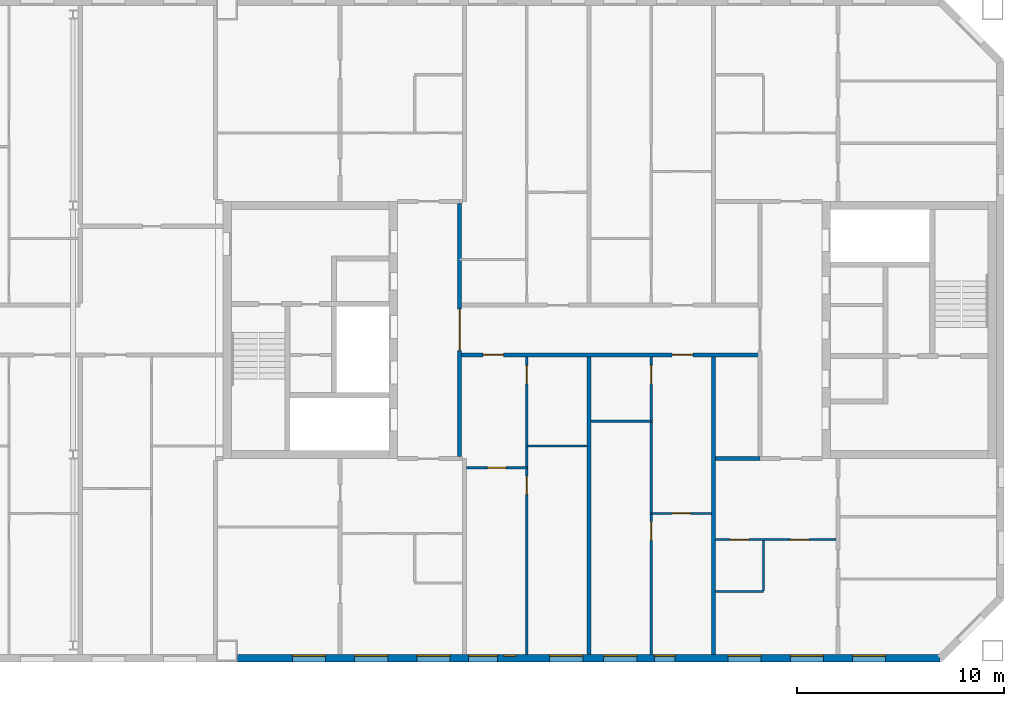
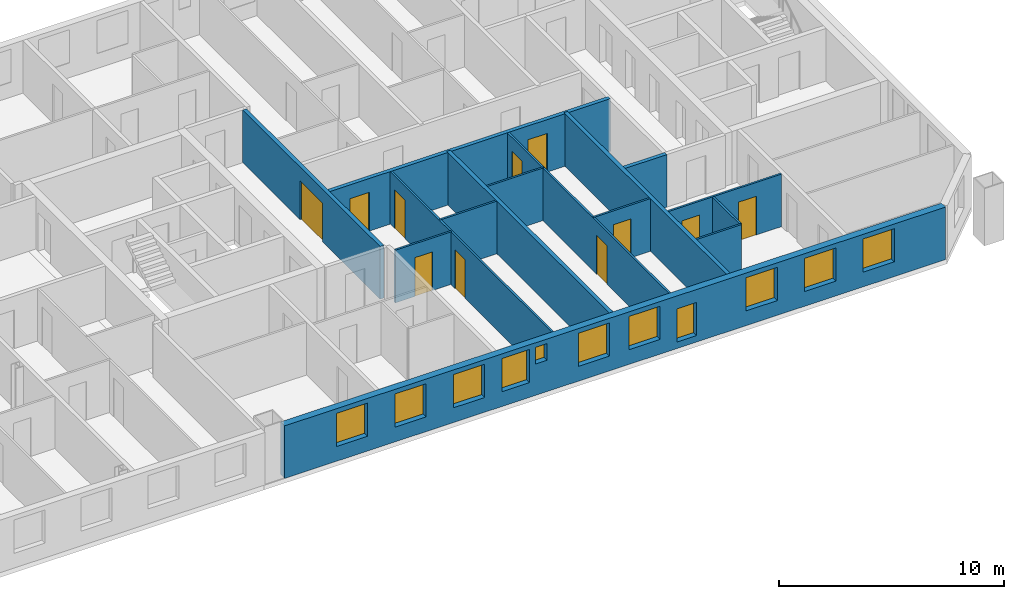
# One storey, part 14 of 19: 15 walls, 11 doors, 11 windows, 22 openings.
"""IFC4 building model written with IfcOpenShell, lengths in metres."""

import ifcopenshell
import ifcopenshell.guid

model = None  # the IFC model being written
_history = None  # IfcOwnerHistory: only IFC2X3 demands one
_inside = {}  # id of a spatial element -> (the spatial element, [elements in it])
_under = {}  # id of a project, library or spatial element -> (it, [spatial elements below it])
_declared = {}  # id of a project -> (the project, [libraries it declares])
_typed = {}  # id of a type object -> (the type object, [elements of that type])
_made_of = {}  # id of a material, layer set ... -> (it, [elements and type objects made of it])


def new_model(schema):
    """Start an empty IFC model of exactly this schema.

    Asked for "IFC4X3", IfcOpenShell would pick the latest addendum, in which some entities
    have other attributes; the version numbers below select the first issue.
    IFC2X3 requires an IfcOwnerHistory on every rooted entity: one is made here for all.
    """
    global model, _history
    if schema == "IFC4X3":
        model = ifcopenshell.file(schema_version=(4, 3, 0, 0))
    else:
        model = ifcopenshell.file(schema=schema)
    _inside.clear()
    _under.clear()
    _declared.clear()
    _typed.clear()
    _made_of.clear()
    _history = None
    if model.schema == "IFC2X3":
        org = make("IfcOrganization", Name="unknown")
        user = make(
            "IfcPersonAndOrganization",
            ThePerson=make("IfcPerson", FamilyName="unknown"),
            TheOrganization=org,
        )
        app = make(
            "IfcApplication",
            ApplicationDeveloper=org,
            Version="unknown",
            ApplicationFullName="unknown",
            ApplicationIdentifier="unknown",
        )
        _history = make(
            "IfcOwnerHistory",
            OwningUser=user,
            OwningApplication=app,
            ChangeAction="ADDED",
            CreationDate=0,
        )
    return model


def make(cls, **values):
    """One entity of the class cls with the attributes given. An attribute that is None is left unset."""
    return model.create_entity(
        cls, **{name: value for name, value in values.items() if value is not None}
    )


def rooted(cls, **values):
    """An entity with a GlobalId (a new one), such as an element, a storey or a relation."""
    return make(cls, GlobalId=ifcopenshell.guid.new(), OwnerHistory=_history, **values)


def si_unit(unit_type, name, prefix=None):
    """IfcSIUnit, for example si_unit("LENGTHUNIT", "METRE", prefix="MILLI")."""
    return make("IfcSIUnit", UnitType=unit_type, Prefix=prefix, Name=name)


def assignment(units):
    """IfcUnitAssignment: the units of a project."""
    return None if units is None else make("IfcUnitAssignment", Units=units)


def point(xyz):
    """IfcCartesianPoint."""
    return None if xyz is None else make("IfcCartesianPoint", Coordinates=xyz)


def direction(xyz):
    """IfcDirection."""
    return None if xyz is None else make("IfcDirection", DirectionRatios=xyz)


def frame(location, z_axis=None, x_axis=None):
    """IfcAxis2Placement3D, a coordinate frame: its origin and axes. An axis left out is left unset."""
    return make(
        "IfcAxis2Placement3D",
        Location=point(location),
        Axis=direction(z_axis),
        RefDirection=direction(x_axis),
    )


def frame_2d(location, x_axis=None):
    """IfcAxis2Placement2D, a coordinate frame in the plane: its origin and x axis."""
    return make(
        "IfcAxis2Placement2D", Location=point(location), RefDirection=direction(x_axis)
    )


def origin():
    """The frame at (0, 0, 0) with its axes left unset."""
    return frame((0.0, 0.0, 0.0))


def place(relative_to, where):
    """IfcLocalPlacement: puts the frame where relative to a parent placement (None: the world)."""
    return make(
        "IfcLocalPlacement", PlacementRelTo=relative_to, RelativePlacement=where
    )


def context(
    kind, dimensions, precision=None, world=None, true_north=None, identifier=None
):
    """IfcGeometricRepresentationContext, for example the 3D "Model" context."""
    return make(
        "IfcGeometricRepresentationContext",
        ContextIdentifier=identifier,
        ContextType=kind,
        CoordinateSpaceDimension=dimensions,
        Precision=precision,
        WorldCoordinateSystem=world,
        TrueNorth=true_north,
    )


def subcontext(parent, identifier, kind, view, scale=None):
    """IfcGeometricRepresentationSubContext, for example "Body" below "Model"."""
    return make(
        "IfcGeometricRepresentationSubContext",
        ContextIdentifier=identifier,
        ContextType=kind,
        ParentContext=parent,
        TargetScale=scale,
        TargetView=view,
    )


def project(units=None, contexts=None):
    """IfcProject with its units and contexts."""
    return rooted(
        "IfcProject",
        Name="project",
        RepresentationContexts=contexts,
        UnitsInContext=assignment(units),
    )


def spatial(cls, under=None, at=None, **own):
    """A site, building, storey or space (cls), placed at a placement, below another one or the project."""
    s = rooted(cls, ObjectPlacement=at, **own)
    if under is not None:
        _under.setdefault(under.id(), (under, []))[1].append(s)
    return s


def profile(cls, at=None, kind="AREA", **sizes):
    """A parametric profile (cls). Its sizes go by their IFC names, for example OverallWidth=200.0."""
    return make(cls, ProfileType=kind, Position=at, **sizes)


def rectangle(**sizes):
    """IfcRectangleProfileDef."""
    return profile("IfcRectangleProfileDef", **sizes)


def extrude(swept, where, along, depth):
    """IfcExtrudedAreaSolid: the profile swept, set in the frame where, extruded along a direction by depth."""
    return make(
        "IfcExtrudedAreaSolid",
        SweptArea=swept,
        Position=where,
        ExtrudedDirection=direction(along),
        Depth=depth,
    )


def shape(context_of_items, identifier, shape_type, items):
    """IfcShapeRepresentation: the items that make up one representation, for example the "Body"."""
    return make(
        "IfcShapeRepresentation",
        ContextOfItems=context_of_items,
        RepresentationIdentifier=identifier,
        RepresentationType=shape_type,
        Items=items,
    )


def material(Name=None, Category=None):
    """IfcMaterial."""
    return make("IfcMaterial", Name=Name, Category=Category)


def layer(
    of_material, thickness, ventilated=None, Name=None, Category=None, Priority=None
):
    """IfcMaterialLayer: one layer of a wall or slab, of a material (None: an air gap)."""
    return make(
        "IfcMaterialLayer",
        Material=of_material,
        LayerThickness=thickness,
        IsVentilated=ventilated,
        Name=Name,
        Category=Category,
        Priority=Priority,
    )


def layer_set(layers, Name=None):
    """IfcMaterialLayerSet."""
    return make("IfcMaterialLayerSet", MaterialLayers=layers, LayerSetName=Name)


def made_of(thing, what):
    """Note that an element or type object is made of a material, layer set ...; save() writes the relation."""
    if what is not None:
        _made_of.setdefault(what.id(), (what, []))[1].append(thing)
    return thing


def type_object(cls, material=None, **own):
    """A type object (cls), such as IfcWallType, which elements share."""
    return made_of(rooted(cls, **own), material)


def element(
    cls,
    number,
    at=None,
    inside=None,
    cuts=None,
    type_object=None,
    material=None,
    context=None,
    identifier="Body",
    shape_type=None,
    held_by="IfcProductDefinitionShape",
    body=None,
    shapes=None,
    **own,
):
    """One element of the class cls, such as IfcWall. Its Tag is "e" and its number.

    at: its placement. inside: the storey or other place that contains it. cuts: it is an
    opening in that element (IfcRelVoidsElement). A single representation is given by context,
    identifier, shape_type and body (its items); several are given by shapes. held_by: the class
    of the entity that holds the representations. save() writes the other relations.
    """
    e = rooted(cls, Tag="e%d" % number, ObjectPlacement=at, **own)
    if body is not None:
        shapes = [shape(context, identifier, shape_type, body)]
    if shapes is not None:
        e.Representation = make(held_by, Representations=shapes)
    if inside is not None:
        _inside.setdefault(inside.id(), (inside, []))[1].append(e)
    if cuts is not None:
        rooted(
            "IfcRelVoidsElement", RelatingBuildingElement=cuts, RelatedOpeningElement=e
        )
    if type_object is not None:
        _typed.setdefault(type_object.id(), (type_object, []))[1].append(e)
    return made_of(e, material)


def fill(opening, filler):
    """IfcRelFillsElement: the door or window that sits in an opening."""
    return rooted(
        "IfcRelFillsElement",
        RelatingOpeningElement=opening,
        RelatedBuildingElement=filler,
    )


def aggregate(whole, parts):
    """IfcRelAggregates: a whole, such as a stair, and the parts it consists of."""
    return rooted("IfcRelAggregates", RelatingObject=whole, RelatedObjects=parts)


def save(model, path):
    """Write the relations noted so far, then the file.

    IfcRelAggregates (storeys below a building ...), IfcRelContainedInSpatialStructure (elements
    in a storey), IfcRelDefinesByType, IfcRelAssociatesMaterial and IfcRelDeclares: one each for
    every whole, place, type object, material and project.
    """
    for whole, parts in _under.values():
        aggregate(whole, parts)
    for where, things in _inside.values():
        rooted(
            "IfcRelContainedInSpatialStructure",
            RelatedElements=things,
            RelatingStructure=where,
        )
    for kind, things in _typed.values():
        rooted("IfcRelDefinesByType", RelatedObjects=things, RelatingType=kind)
    for what, things in _made_of.values():
        rooted("IfcRelAssociatesMaterial", RelatedObjects=things, RelatingMaterial=what)
    for by, libraries in _declared.values():
        rooted("IfcRelDeclares", RelatingContext=by, RelatedDefinitions=libraries)
    model.write(path)


model = new_model("IFC4")

# Units and contexts
model_context = context("Model", 3, precision=1e-05, world=origin(), true_north=direction((0.0, 1.0)))
body_context = subcontext(model_context, "Body", "Model", "MODEL_VIEW")
ifc_project = project(units=[si_unit("LENGTHUNIT", "METRE"), si_unit("AREAUNIT", "SQUARE_METRE"), si_unit("VOLUMEUNIT", "CUBIC_METRE"), si_unit("PLANEANGLEUNIT", "RADIAN"), si_unit("MASSUNIT", "GRAM", prefix="KILO")], contexts=[model_context])

# Site, building, storey
site_placement = place(None, origin())
site = spatial("IfcSite", under=ifc_project, at=site_placement, CompositionType="ELEMENT")
building_placement = place(site_placement, origin())
building = spatial("IfcBuilding", under=site, at=building_placement, Name="Tuart Gate Housing", CompositionType="ELEMENT")
storey_placement = place(building_placement, frame((0.0, 0.0, 227.60009765625)))
storey = spatial("IfcBuildingStorey", under=building, at=storey_placement, Name="L64", CompositionType="ELEMENT", Elevation=227.60009765625)

# Wall, openings, windows
ifc_material_1 = material(Name="Brick", Category="masonry")
ifc_layer_1 = layer(ifc_material_1, 0.360107421875)
ifc_layer_set_1 = layer_set([ifc_layer_1], Name="Brick pier and spandrel wall 360")
wall_type_1 = type_object("IfcWallType", Name="Brick pier and spandrel wall 360", PredefinedType="STANDARD", material=ifc_layer_set_1)
wall_1_placement = place(storey_placement, frame((132.050048828125, 54.179931640625, 0.0), z_axis=(0.0, 0.0, 1.0), x_axis=(1.0, 0.0, 0.0)))
wall_1 = element("IfcWall", 1, at=wall_1_placement, inside=storey, type_object=wall_type_1, Name="External wall BLK-S L64", PredefinedType="STANDARD", context=body_context, shape_type="SweptSolid", body=[
    extrude(rectangle(XDim=33.87548828125, YDim=0.360107421875, at=frame_2d((16.937744140625, 0.0))), origin(), (0.0, 0.0, 1.0), 2.849853515625),
])
opening_1_placement = place(wall_1_placement, frame((2.64990234375, 0.0, 0.800048828125)))
opening_1 = element("IfcOpeningElement", 2, at=opening_1_placement, cuts=wall_1, Name="Opening W1", PredefinedType="OPENING", context=body_context, shape_type="SweptSolid", body=[
    extrude(rectangle(XDim=1.60009765625, YDim=1.800048828125, at=frame_2d((0.800048828125, 0.89990234375))), frame((0.0, 0.18994140625, 0.0), z_axis=(0.0, -1.0, 0.0), x_axis=(1.0, 0.0, 0.0)), (0.0, 0.0, 1.0), 0.380126953125),
])
opening_2_placement = place(wall_1_placement, frame((5.64990234375, 0.0, 0.800048828125)))
opening_2 = element("IfcOpeningElement", 3, at=opening_2_placement, cuts=wall_1, Name="Opening W1", PredefinedType="OPENING", context=body_context, shape_type="SweptSolid", body=[
    extrude(rectangle(XDim=1.60009765625, YDim=1.800048828125, at=frame_2d((0.800048828125, 0.89990234375))), frame((0.0, 0.18994140625, 0.0), z_axis=(0.0, -1.0, 0.0), x_axis=(1.0, 0.0, 0.0)), (0.0, 0.0, 1.0), 0.380126953125),
])
opening_3_placement = place(wall_1_placement, frame((8.64990234375, 0.0, 0.800048828125)))
opening_3 = element("IfcOpeningElement", 4, at=opening_3_placement, cuts=wall_1, Name="Opening W1", PredefinedType="OPENING", context=body_context, shape_type="SweptSolid", body=[
    extrude(rectangle(XDim=1.60009765625, YDim=1.800048828125, at=frame_2d((0.800048828125, 0.89990234375))), frame((0.0, 0.18994140625, 0.0), z_axis=(0.0, -1.0, 0.0), x_axis=(1.0, 0.0, 0.0)), (0.0, 0.0, 1.0), 0.380126953125),
])
opening_4_placement = place(wall_1_placement, frame((11.14990234375, 0.0, 0.800048828125)))
opening_4 = element("IfcOpeningElement", 5, at=opening_4_placement, cuts=wall_1, Name="Opening W1A", PredefinedType="OPENING", context=body_context, shape_type="SweptSolid", body=[
    extrude(rectangle(XDim=1.39990234375, YDim=1.800048828125, at=frame_2d((0.699951171875, 0.89990234375))), frame((0.0, 0.18994140625, 0.0), z_axis=(0.0, -1.0, 0.0), x_axis=(1.0, 0.0, 0.0)), (0.0, 0.0, 1.0), 0.380126953125),
])
opening_5_placement = place(wall_1_placement, frame((15.050048828125, 0.0, 0.800048828125)))
opening_5 = element("IfcOpeningElement", 6, at=opening_5_placement, cuts=wall_1, Name="Opening W1", PredefinedType="OPENING", context=body_context, shape_type="SweptSolid", body=[
    extrude(rectangle(XDim=1.60009765625, YDim=1.800048828125, at=frame_2d((0.800048828125, 0.89990234375))), frame((0.0, 0.18994140625, 0.0), z_axis=(0.0, -1.0, 0.0), x_axis=(1.0, 0.0, 0.0)), (0.0, 0.0, 1.0), 0.380126953125),
])
opening_6_placement = place(wall_1_placement, frame((17.64990234375, 0.0, 0.800048828125)))
opening_6 = element("IfcOpeningElement", 7, at=opening_6_placement, cuts=wall_1, Name="Opening W1", PredefinedType="OPENING", context=body_context, shape_type="SweptSolid", body=[
    extrude(rectangle(XDim=1.60009765625, YDim=1.800048828125, at=frame_2d((0.800048828125, 0.89990234375))), frame((0.0, 0.18994140625, 0.0), z_axis=(0.0, -1.0, 0.0), x_axis=(1.0, 0.0, 0.0)), (0.0, 0.0, 1.0), 0.380126953125),
])
opening_7_placement = place(wall_1_placement, frame((20.10009765625, 0.0, 0.35009765625)))
opening_7 = element("IfcOpeningElement", 8, at=opening_7_placement, cuts=wall_1, Name="Opening W1C", PredefinedType="OPENING", context=body_context, shape_type="SweptSolid", body=[
    extrude(rectangle(XDim=1.0, YDim=1.800048828125, at=frame_2d((0.5, 0.89990234375))), frame((0.0, 0.18994140625, 0.0), z_axis=(0.0, -1.0, 0.0), x_axis=(1.0, 0.0, 0.0)), (0.0, 0.0, 1.0), 0.380126953125),
])
opening_8_placement = place(wall_1_placement, frame((23.64990234375, 0.0, 0.800048828125)))
opening_8 = element("IfcOpeningElement", 9, at=opening_8_placement, cuts=wall_1, Name="Opening W1", PredefinedType="OPENING", context=body_context, shape_type="SweptSolid", body=[
    extrude(rectangle(XDim=1.60009765625, YDim=1.800048828125, at=frame_2d((0.800048828125, 0.89990234375))), frame((0.0, 0.18994140625, 0.0), z_axis=(0.0, -1.0, 0.0), x_axis=(1.0, 0.0, 0.0)), (0.0, 0.0, 1.0), 0.380126953125),
])
opening_9_placement = place(wall_1_placement, frame((26.64990234375, 0.0, 0.800048828125)))
opening_9 = element("IfcOpeningElement", 10, at=opening_9_placement, cuts=wall_1, Name="Opening W1", PredefinedType="OPENING", context=body_context, shape_type="SweptSolid", body=[
    extrude(rectangle(XDim=1.60009765625, YDim=1.800048828125, at=frame_2d((0.800048828125, 0.89990234375))), frame((0.0, 0.18994140625, 0.0), z_axis=(0.0, -1.0, 0.0), x_axis=(1.0, 0.0, 0.0)), (0.0, 0.0, 1.0), 0.380126953125),
])
opening_10_placement = place(wall_1_placement, frame((29.64990234375, 0.0, 0.800048828125)))
opening_10 = element("IfcOpeningElement", 11, at=opening_10_placement, cuts=wall_1, Name="Opening W1", PredefinedType="OPENING", context=body_context, shape_type="SweptSolid", body=[
    extrude(rectangle(XDim=1.60009765625, YDim=1.800048828125, at=frame_2d((0.800048828125, 0.89990234375))), frame((0.0, 0.18994140625, 0.0), z_axis=(0.0, -1.0, 0.0), x_axis=(1.0, 0.0, 0.0)), (0.0, 0.0, 1.0), 0.380126953125),
])
opening_11_placement = place(wall_1_placement, frame((12.85009765625, 0.0, 1.699951171875)))
opening_11 = element("IfcOpeningElement", 12, at=opening_11_placement, cuts=wall_1, Name="Opening W1W", PredefinedType="OPENING", context=body_context, shape_type="SweptSolid", body=[
    extrude(rectangle(XDim=0.60009765625, YDim=0.89990234375, at=frame_2d((0.300048828125, 0.449951171875))), frame((0.0, 0.18994140625, 0.0), z_axis=(0.0, -1.0, 0.0), x_axis=(1.0, 0.0, 0.0)), (0.0, 0.0, 1.0), 0.380126953125),
])
ifc_material_2 = material(Name="Aluminium frame with clear glass", Category="aluminium")
window_type_1 = type_object("IfcWindowType", Name="Punched window 1000 x 1800", PartitioningType="SINGLE_PANEL", PredefinedType="WINDOW", material=ifc_material_2)
window_1_placement = place(opening_7_placement, origin())
window_1 = element("IfcWindow", 13, at=window_1_placement, inside=storey, type_object=window_type_1, Name="Window W1C", OverallHeight=1.800048828125, OverallWidth=1.0, PartitioningType="SINGLE_PANEL", PredefinedType="WINDOW", context=body_context, shape_type="SweptSolid", body=[
    extrude(rectangle(XDim=1.0, YDim=1.800048828125, at=frame_2d((0.5, 0.89990234375))), frame((0.0, 0.150146484375, 0.0), z_axis=(0.0, -1.0, 0.0), x_axis=(1.0, 0.0, 0.0)), (0.0, 0.0, 1.0), 0.06005859375),
])
fill(opening_7, window_1)
ifc_material_3 = material(Name="Aluminium frame with clear glass", Category="aluminium")
window_type_2 = type_object("IfcWindowType", Name="Punched window 1400 x 1800", PartitioningType="SINGLE_PANEL", PredefinedType="WINDOW", material=ifc_material_3)
window_2_placement = place(opening_4_placement, origin())
window_2 = element("IfcWindow", 14, at=window_2_placement, inside=storey, type_object=window_type_2, Name="Window W1A", OverallHeight=1.800048828125, OverallWidth=1.39990234375, PartitioningType="SINGLE_PANEL", PredefinedType="WINDOW", context=body_context, shape_type="SweptSolid", body=[
    extrude(rectangle(XDim=1.39990234375, YDim=1.800048828125, at=frame_2d((0.699951171875, 0.89990234375))), frame((0.0, 0.150146484375, 0.0), z_axis=(0.0, -1.0, 0.0), x_axis=(1.0, 0.0, 0.0)), (0.0, 0.0, 1.0), 0.06005859375),
])
fill(opening_4, window_2)
ifc_material_4 = material(Name="Aluminium frame with clear glass", Category="aluminium")
window_type_3 = type_object("IfcWindowType", Name="Punched window 1600 x 1800", PartitioningType="SINGLE_PANEL", PredefinedType="WINDOW", material=ifc_material_4)
window_3_placement = place(opening_1_placement, origin())
window_3 = element("IfcWindow", 15, at=window_3_placement, inside=storey, type_object=window_type_3, Name="Window W1", OverallHeight=1.800048828125, OverallWidth=1.60009765625, PartitioningType="SINGLE_PANEL", PredefinedType="WINDOW", context=body_context, shape_type="SweptSolid", body=[
    extrude(rectangle(XDim=1.60009765625, YDim=1.800048828125, at=frame_2d((0.800048828125, 0.89990234375))), frame((0.0, 0.150146484375, 0.0), z_axis=(0.0, -1.0, 0.0), x_axis=(1.0, 0.0, 0.0)), (0.0, 0.0, 1.0), 0.06005859375),
])
fill(opening_1, window_3)
window_4_placement = place(opening_2_placement, origin())
window_4 = element("IfcWindow", 16, at=window_4_placement, inside=storey, type_object=window_type_3, Name="Window W1", OverallHeight=1.800048828125, OverallWidth=1.60009765625, PartitioningType="SINGLE_PANEL", PredefinedType="WINDOW", context=body_context, shape_type="SweptSolid", body=[
    extrude(rectangle(XDim=1.60009765625, YDim=1.800048828125, at=frame_2d((0.800048828125, 0.89990234375))), frame((0.0, 0.150146484375, 0.0), z_axis=(0.0, -1.0, 0.0), x_axis=(1.0, 0.0, 0.0)), (0.0, 0.0, 1.0), 0.06005859375),
])
fill(opening_2, window_4)
window_5_placement = place(opening_3_placement, origin())
window_5 = element("IfcWindow", 17, at=window_5_placement, inside=storey, type_object=window_type_3, Name="Window W1", OverallHeight=1.800048828125, OverallWidth=1.60009765625, PartitioningType="SINGLE_PANEL", PredefinedType="WINDOW", context=body_context, shape_type="SweptSolid", body=[
    extrude(rectangle(XDim=1.60009765625, YDim=1.800048828125, at=frame_2d((0.800048828125, 0.89990234375))), frame((0.0, 0.150146484375, 0.0), z_axis=(0.0, -1.0, 0.0), x_axis=(1.0, 0.0, 0.0)), (0.0, 0.0, 1.0), 0.06005859375),
])
fill(opening_3, window_5)
window_6_placement = place(opening_5_placement, origin())
window_6 = element("IfcWindow", 18, at=window_6_placement, inside=storey, type_object=window_type_3, Name="Window W1", OverallHeight=1.800048828125, OverallWidth=1.60009765625, PartitioningType="SINGLE_PANEL", PredefinedType="WINDOW", context=body_context, shape_type="SweptSolid", body=[
    extrude(rectangle(XDim=1.60009765625, YDim=1.800048828125, at=frame_2d((0.800048828125, 0.89990234375))), frame((0.0, 0.150146484375, 0.0), z_axis=(0.0, -1.0, 0.0), x_axis=(1.0, 0.0, 0.0)), (0.0, 0.0, 1.0), 0.06005859375),
])
fill(opening_5, window_6)
window_7_placement = place(opening_6_placement, origin())
window_7 = element("IfcWindow", 19, at=window_7_placement, inside=storey, type_object=window_type_3, Name="Window W1", OverallHeight=1.800048828125, OverallWidth=1.60009765625, PartitioningType="SINGLE_PANEL", PredefinedType="WINDOW", context=body_context, shape_type="SweptSolid", body=[
    extrude(rectangle(XDim=1.60009765625, YDim=1.800048828125, at=frame_2d((0.800048828125, 0.89990234375))), frame((0.0, 0.150146484375, 0.0), z_axis=(0.0, -1.0, 0.0), x_axis=(1.0, 0.0, 0.0)), (0.0, 0.0, 1.0), 0.06005859375),
])
fill(opening_6, window_7)
window_8_placement = place(opening_8_placement, origin())
window_8 = element("IfcWindow", 20, at=window_8_placement, inside=storey, type_object=window_type_3, Name="Window W1", OverallHeight=1.800048828125, OverallWidth=1.60009765625, PartitioningType="SINGLE_PANEL", PredefinedType="WINDOW", context=body_context, shape_type="SweptSolid", body=[
    extrude(rectangle(XDim=1.60009765625, YDim=1.800048828125, at=frame_2d((0.800048828125, 0.89990234375))), frame((0.0, 0.150146484375, 0.0), z_axis=(0.0, -1.0, 0.0), x_axis=(1.0, 0.0, 0.0)), (0.0, 0.0, 1.0), 0.06005859375),
])
fill(opening_8, window_8)
window_9_placement = place(opening_9_placement, origin())
window_9 = element("IfcWindow", 21, at=window_9_placement, inside=storey, type_object=window_type_3, Name="Window W1", OverallHeight=1.800048828125, OverallWidth=1.60009765625, PartitioningType="SINGLE_PANEL", PredefinedType="WINDOW", context=body_context, shape_type="SweptSolid", body=[
    extrude(rectangle(XDim=1.60009765625, YDim=1.800048828125, at=frame_2d((0.800048828125, 0.89990234375))), frame((0.0, 0.150146484375, 0.0), z_axis=(0.0, -1.0, 0.0), x_axis=(1.0, 0.0, 0.0)), (0.0, 0.0, 1.0), 0.06005859375),
])
fill(opening_9, window_9)
window_10_placement = place(opening_10_placement, origin())
window_10 = element("IfcWindow", 22, at=window_10_placement, inside=storey, type_object=window_type_3, Name="Window W1", OverallHeight=1.800048828125, OverallWidth=1.60009765625, PartitioningType="SINGLE_PANEL", PredefinedType="WINDOW", context=body_context, shape_type="SweptSolid", body=[
    extrude(rectangle(XDim=1.60009765625, YDim=1.800048828125, at=frame_2d((0.800048828125, 0.89990234375))), frame((0.0, 0.150146484375, 0.0), z_axis=(0.0, -1.0, 0.0), x_axis=(1.0, 0.0, 0.0)), (0.0, 0.0, 1.0), 0.06005859375),
])
fill(opening_10, window_10)
ifc_material_5 = material(Name="Aluminium frame with clear glass", Category="aluminium")
window_type_4 = type_object("IfcWindowType", Name="Punched window 600 x 900", PartitioningType="SINGLE_PANEL", PredefinedType="WINDOW", material=ifc_material_5)
window_11_placement = place(opening_11_placement, origin())
window_11 = element("IfcWindow", 23, at=window_11_placement, inside=storey, type_object=window_type_4, Name="Window W1W", OverallHeight=0.89990234375, OverallWidth=0.60009765625, PartitioningType="SINGLE_PANEL", PredefinedType="WINDOW", context=body_context, shape_type="SweptSolid", body=[
    extrude(rectangle(XDim=0.60009765625, YDim=0.89990234375, at=frame_2d((0.300048828125, 0.449951171875))), frame((0.0, 0.150146484375, 0.0), z_axis=(0.0, -1.0, 0.0), x_axis=(1.0, 0.0, 0.0)), (0.0, 0.0, 1.0), 0.06005859375),
])
fill(opening_11, window_11)

# Wall, openings, doors
ifc_material_6 = material(Name="Concrete masonry 15 MPa", Category="masonry")
ifc_layer_2 = layer(ifc_material_6, 0.199951171875)
ifc_layer_set_2 = layer_set([ifc_layer_2], Name="Corridor wall masonry 200")
wall_type_2 = type_object("IfcWallType", Name="Corridor wall masonry 200", PredefinedType="PARTITIONING", material=ifc_layer_set_2)
wall_2_placement = place(storey_placement, frame((142.760009765625, 68.800048828125, 0.0), z_axis=(0.0, 0.0, 1.0), x_axis=(1.0, 0.0, 0.0)))
wall_2 = element("IfcWall", 24, at=wall_2_placement, inside=storey, type_object=wall_type_2, Name="Corridor wall masonry 200", PredefinedType="PARTITIONING", context=body_context, shape_type="SweptSolid", body=[
    extrude(rectangle(XDim=14.47998046875, YDim=0.199951171875, at=frame_2d((7.239990234375, 0.0))), origin(), (0.0, 0.0, 1.0), 2.849853515625),
])
opening_12_placement = place(wall_2_placement, frame((1.1201171875, 0.0, 0.0)))
opening_12 = element("IfcOpeningElement", 25, at=opening_12_placement, cuts=wall_2, Name="Opening D2422", PredefinedType="OPENING", context=body_context, shape_type="SweptSolid", body=[
    extrude(rectangle(XDim=1.0, YDim=2.10009765625, at=frame_2d((0.5, 1.050048828125))), frame((0.0, 0.10986328125, 0.0), z_axis=(0.0, -1.0, 0.0), x_axis=(1.0, 0.0, 0.0)), (0.0, 0.0, 1.0), 0.219970703125),
])
opening_13_placement = place(wall_2_placement, frame((10.239990234375, 0.0, 0.0)))
opening_13 = element("IfcOpeningElement", 26, at=opening_13_placement, cuts=wall_2, Name="Opening D2423", PredefinedType="OPENING", context=body_context, shape_type="SweptSolid", body=[
    extrude(rectangle(XDim=1.0, YDim=2.10009765625, at=frame_2d((0.5, 1.050048828125))), frame((0.0, 0.10986328125, 0.0), z_axis=(0.0, -1.0, 0.0), x_axis=(1.0, 0.0, 0.0)), (0.0, 0.0, 1.0), 0.219970703125),
])
ifc_material_7 = material(Name="Timber door leaf in steel frame", Category="steel")
door_type_1 = type_object("IfcDoorType", Name="Flat entrance door 1000 RH", OperationType="SINGLE_SWING_RIGHT", PredefinedType="DOOR", material=ifc_material_7)
door_1_placement = place(opening_12_placement, frame((1.0, 0.0, 0.0), z_axis=(0.0, 0.0, 1.0), x_axis=(-1.0, 0.0, 0.0)))
door_1 = element("IfcDoor", 27, at=door_1_placement, inside=storey, type_object=door_type_1, Name="Flat entrance door", OperationType="SINGLE_SWING_RIGHT", OverallHeight=2.10009765625, OverallWidth=1.0, PredefinedType="DOOR", context=body_context, shape_type="SweptSolid", body=[
    extrude(rectangle(XDim=1.0, YDim=2.10009765625, at=frame_2d((0.5, 1.050048828125))), frame((0.0, 0.025146484375, 0.0), z_axis=(0.0, -1.0, 0.0), x_axis=(1.0, 0.0, 0.0)), (0.0, 0.0, 1.0), 0.050048828125),
])
fill(opening_12, door_1)
door_2_placement = place(opening_13_placement, frame((1.0, 0.0, 0.0), z_axis=(0.0, 0.0, 1.0), x_axis=(-1.0, 0.0, 0.0)))
door_2 = element("IfcDoor", 28, at=door_2_placement, inside=storey, type_object=door_type_1, Name="Flat entrance door", OperationType="SINGLE_SWING_RIGHT", OverallHeight=2.10009765625, OverallWidth=1.0, PredefinedType="DOOR", context=body_context, shape_type="SweptSolid", body=[
    extrude(rectangle(XDim=1.0, YDim=2.10009765625, at=frame_2d((0.5, 1.050048828125))), frame((0.0, 0.025146484375, 0.0), z_axis=(0.0, -1.0, 0.0), x_axis=(1.0, 0.0, 0.0)), (0.0, 0.0, 1.0), 0.050048828125),
])
fill(opening_13, door_2)

# Wall, opening, door
ifc_material_8 = material(Name="Plasterboard partition")
ifc_layer_3 = layer(ifc_material_8, 0.199951171875)
ifc_layer_set_3 = layer_set([ifc_layer_3], Name="Lobby wall 200")
wall_type_3 = type_object("IfcWallType", Name="Lobby wall 200", PredefinedType="PARTITIONING", material=ifc_layer_set_3)
wall_3_placement = place(storey_placement, frame((142.760009765625, 63.89990234375, 0.0), z_axis=(0.0, 0.0, 1.0), x_axis=(0.0, 1.0, 0.0)))
wall_3 = element("IfcWall", 29, at=wall_3_placement, inside=storey, type_object=wall_type_3, Name="Lift lobby wall BG", PredefinedType="PARTITIONING", context=body_context, shape_type="SweptSolid", body=[
    extrude(rectangle(XDim=12.2001953125, YDim=0.199951171875, at=frame_2d((6.10009765625, 0.0))), origin(), (0.0, 0.0, 1.0), 2.849853515625),
])
opening_14_placement = place(wall_3_placement, frame((5.10009765625, 0.0, 0.0)))
opening_14 = element("IfcOpeningElement", 30, at=opening_14_placement, cuts=wall_3, Name="Opening D2415", PredefinedType="OPENING", context=body_context, shape_type="SweptSolid", body=[
    extrude(rectangle(XDim=2.0, YDim=2.10009765625, at=frame_2d((1.0, 1.050048828125))), frame((0.0, 0.10986328125, 0.0), z_axis=(0.0, -1.0, 0.0), x_axis=(1.0, 0.0, 0.0)), (0.0, 0.0, 1.0), 0.219970703125),
])
ifc_material_9 = material(Name="Steel fire door", Category="steel")
door_type_2 = type_object("IfcDoorType", Name="Smoke door 2000 x 2100", OperationType="DOUBLE_DOOR_SINGLE_SWING", PredefinedType="DOOR", material=ifc_material_9)
door_3_placement = place(opening_14_placement, origin())
door_3 = element("IfcDoor", 31, at=door_3_placement, inside=storey, type_object=door_type_2, Name="Lift lobby smoke door BG", OperationType="DOUBLE_DOOR_SINGLE_SWING", OverallHeight=2.10009765625, OverallWidth=2.0, PredefinedType="DOOR", context=body_context, shape_type="SweptSolid", body=[
    extrude(rectangle(XDim=2.0, YDim=2.10009765625, at=frame_2d((1.0, 1.050048828125))), frame((0.0, 0.02490234375, 0.0), z_axis=(0.0, -1.0, 0.0), x_axis=(1.0, 0.0, 0.0)), (0.0, 0.0, 1.0), 0.050048828125),
])
fill(opening_14, door_3)

# Wall
ifc_material_10 = material(Name="Gypsum board on steel studs", Category="steel")
ifc_layer_4 = layer(ifc_material_10, 0.10009765625)
ifc_layer_set_4 = layer_set([ifc_layer_4], Name="Partition 100")
wall_type_4 = type_object("IfcWallType", Name="Partition 100", PredefinedType="PARTITIONING", material=ifc_layer_set_4)
wall_4_placement = place(storey_placement, frame((155.10009765625, 57.39990234375, 0.0), z_axis=(0.0, 0.0, 1.0), x_axis=(1.0, 0.0, 0.0)))
element("IfcWall", 32, at=wall_4_placement, inside=storey, type_object=wall_type_4, Name="Partition 100", PredefinedType="PARTITIONING", context=body_context, shape_type="SweptSolid", body=[
    extrude(rectangle(XDim=2.2998046875, YDim=0.10009765625, at=frame_2d((1.14990234375, 0.0))), origin(), (0.0, 0.0, 1.0), 2.849853515625),
])

# Wall, openings, doors
wall_5_placement = place(storey_placement, frame((155.10009765625, 59.89990234375, 0.0), z_axis=(0.0, 0.0, 1.0), x_axis=(1.0, 0.0, 0.0)))
wall_5 = element("IfcWall", 33, at=wall_5_placement, inside=storey, type_object=wall_type_4, Name="Partition 100", PredefinedType="PARTITIONING", context=body_context, shape_type="SweptSolid", body=[
    extrude(rectangle(XDim=5.7998046875, YDim=0.10009765625, at=frame_2d((2.89990234375, 0.0))), origin(), (0.0, 0.0, 1.0), 2.849853515625),
])
opening_15_placement = place(wall_5_placement, frame((3.60009765625, 0.0, 0.0)))
opening_15 = element("IfcOpeningElement", 34, at=opening_15_placement, cuts=wall_5, Name="Opening D2437", PredefinedType="OPENING", context=body_context, shape_type="SweptSolid", body=[
    extrude(rectangle(XDim=0.89990234375, YDim=2.10009765625, at=frame_2d((0.449951171875, 1.050048828125))), frame((0.0, 0.06005859375, 0.0), z_axis=(0.0, -1.0, 0.0), x_axis=(1.0, 0.0, 0.0)), (0.0, 0.0, 1.0), 0.1201171875),
])
opening_16_placement = place(wall_5_placement, frame((0.699951171875, 0.0, 0.0)))
opening_16 = element("IfcOpeningElement", 35, at=opening_16_placement, cuts=wall_5, Name="Opening D2436", PredefinedType="OPENING", context=body_context, shape_type="SweptSolid", body=[
    extrude(rectangle(XDim=0.89990234375, YDim=2.10009765625, at=frame_2d((0.449951171875, 1.050048828125))), frame((0.0, 0.06005859375, 0.0), z_axis=(0.0, -1.0, 0.0), x_axis=(1.0, 0.0, 0.0)), (0.0, 0.0, 1.0), 0.1201171875),
])
ifc_material_11 = material(Name="Timber door leaf in steel frame", Category="steel")
door_type_3 = type_object("IfcDoorType", Name="Bathroom door 900", OperationType="SINGLE_SWING_LEFT", PredefinedType="DOOR", material=ifc_material_11)
door_4_placement = place(opening_16_placement, frame((0.89990234375, 0.0, 0.0), z_axis=(0.0, 0.0, 1.0), x_axis=(-1.0, 0.0, 0.0)))
door_4 = element("IfcDoor", 36, at=door_4_placement, inside=storey, type_object=door_type_3, Name="Bathroom door", OperationType="SINGLE_SWING_LEFT", OverallHeight=2.10009765625, OverallWidth=0.89990234375, PredefinedType="DOOR", context=body_context, shape_type="SweptSolid", body=[
    extrude(rectangle(XDim=0.89990234375, YDim=2.10009765625, at=frame_2d((0.449951171875, 1.050048828125))), frame((0.0, 0.025146484375, 0.0), z_axis=(0.0, -1.0, 0.0), x_axis=(1.0, 0.0, 0.0)), (0.0, 0.0, 1.0), 0.050048828125),
])
fill(opening_16, door_4)
ifc_material_12 = material(Name="Timber door leaf in steel frame", Category="steel")
door_type_4 = type_object("IfcDoorType", Name="Internal door 900 RH", OperationType="SINGLE_SWING_RIGHT", PredefinedType="DOOR", material=ifc_material_12)
door_5_placement = place(opening_15_placement, origin())
door_5 = element("IfcDoor", 37, at=door_5_placement, inside=storey, type_object=door_type_4, Name="Internal door", OperationType="SINGLE_SWING_RIGHT", OverallHeight=2.10009765625, OverallWidth=0.89990234375, PredefinedType="DOOR", context=body_context, shape_type="SweptSolid", body=[
    extrude(rectangle(XDim=0.89990234375, YDim=2.10009765625, at=frame_2d((0.449951171875, 1.050048828125))), frame((0.0, 0.02490234375, 0.0), z_axis=(0.0, -1.0, 0.0), x_axis=(1.0, 0.0, 0.0)), (0.0, 0.0, 1.0), 0.050048828125),
])
fill(opening_15, door_5)

# Wall, opening, door
wall_6_placement = place(storey_placement, frame((152.0, 61.159912109375, 0.0), z_axis=(0.0, 0.0, 1.0), x_axis=(1.0, 0.0, 0.0)))
wall_6 = element("IfcWall", 38, at=wall_6_placement, inside=storey, type_object=wall_type_4, Name="Partition 100", PredefinedType="PARTITIONING", context=body_context, shape_type="SweptSolid", body=[
    extrude(rectangle(XDim=2.89990234375, YDim=0.10009765625, at=frame_2d((1.449951171875, 0.0))), origin(), (0.0, 0.0, 1.0), 2.849853515625),
])
opening_17_placement = place(wall_6_placement, frame((1.0, 0.0, 0.0)))
opening_17 = element("IfcOpeningElement", 39, at=opening_17_placement, cuts=wall_6, Name="Opening D2433", PredefinedType="OPENING", context=body_context, shape_type="SweptSolid", body=[
    extrude(rectangle(XDim=0.89990234375, YDim=2.10009765625, at=frame_2d((0.449951171875, 1.050048828125))), frame((0.0, 0.06005859375, 0.0), z_axis=(0.0, -1.0, 0.0), x_axis=(1.0, 0.0, 0.0)), (0.0, 0.0, 1.0), 0.1201171875),
])
ifc_material_13 = material(Name="Timber door leaf in steel frame", Category="steel")
door_type_5 = type_object("IfcDoorType", Name="Internal door 900", OperationType="SINGLE_SWING_LEFT", PredefinedType="DOOR", material=ifc_material_13)
door_6_placement = place(opening_17_placement, origin())
door_6 = element("IfcDoor", 40, at=door_6_placement, inside=storey, type_object=door_type_5, Name="Internal door", OperationType="SINGLE_SWING_LEFT", OverallHeight=2.10009765625, OverallWidth=0.89990234375, PredefinedType="DOOR", context=body_context, shape_type="SweptSolid", body=[
    extrude(rectangle(XDim=0.89990234375, YDim=2.10009765625, at=frame_2d((0.449951171875, 1.050048828125))), frame((0.0, 0.02490234375, 0.0), z_axis=(0.0, -1.0, 0.0), x_axis=(1.0, 0.0, 0.0)), (0.0, 0.0, 1.0), 0.050048828125),
])
fill(opening_17, door_6)

wall_7_placement = place(storey_placement, frame((143.10009765625, 63.360107421875, 0.0), z_axis=(0.0, 0.0, 1.0), x_axis=(1.0, 0.0, 0.0)))
wall_7 = element("IfcWall", 41, at=wall_7_placement, inside=storey, type_object=wall_type_4, Name="Partition 100", PredefinedType="PARTITIONING", context=body_context, shape_type="SweptSolid", body=[
    extrude(rectangle(XDim=2.89990234375, YDim=0.10009765625, at=frame_2d((1.449951171875, 0.0))), origin(), (0.0, 0.0, 1.0), 2.849853515625),
])
opening_18_placement = place(wall_7_placement, frame((1.0, 0.0, 0.0)))
opening_18 = element("IfcOpeningElement", 42, at=opening_18_placement, cuts=wall_7, Name="Opening D2428", PredefinedType="OPENING", context=body_context, shape_type="SweptSolid", body=[
    extrude(rectangle(XDim=0.89990234375, YDim=2.10009765625, at=frame_2d((0.449951171875, 1.050048828125))), frame((0.0, 0.06005859375, 0.0), z_axis=(0.0, -1.0, 0.0), x_axis=(1.0, 0.0, 0.0)), (0.0, 0.0, 1.0), 0.1201171875),
])
door_7_placement = place(opening_18_placement, origin())
door_7 = element("IfcDoor", 43, at=door_7_placement, inside=storey, type_object=door_type_4, Name="Internal door", OperationType="SINGLE_SWING_RIGHT", OverallHeight=2.10009765625, OverallWidth=0.89990234375, PredefinedType="DOOR", context=body_context, shape_type="SweptSolid", body=[
    extrude(rectangle(XDim=0.89990234375, YDim=2.10009765625, at=frame_2d((0.449951171875, 1.050048828125))), frame((0.0, 0.02490234375, 0.0), z_axis=(0.0, -1.0, 0.0), x_axis=(1.0, 0.0, 0.0)), (0.0, 0.0, 1.0), 0.050048828125),
])
fill(opening_18, door_7)

# Walls
for number, where, z_axis, x_axis, name in (
    (44, (146.0, 64.39990234375, 0.0), (0.0, 0.0, 1.0), (1.0, 0.0, 0.0), "Partition 100"),
    (45, (149.10009765625, 65.60009765625, 0.0), (0.0, 0.0, 1.0), (1.0, 0.0, 0.0), "Partition 100"),
):
    element("IfcWall", number, at=place(storey_placement, frame(where, z_axis=z_axis, x_axis=x_axis)), inside=storey, type_object=wall_type_4, Name=name, PredefinedType="PARTITIONING", context=body_context, shape_type="SweptSolid", body=[
        extrude(rectangle(XDim=2.89990234375, YDim=0.10009765625, at=frame_2d((1.449951171875, 0.0))), origin(), (0.0, 0.0, 1.0), 2.849853515625),
    ])

# Wall, openings, doors
wall_8_placement = place(storey_placement, frame((146.0, 54.360107421875, 0.0), z_axis=(0.0, 0.0, 1.0), x_axis=(0.0, 1.0, 0.0)))
wall_8 = element("IfcWall", 46, at=wall_8_placement, inside=storey, type_object=wall_type_4, Name="Partition 100", PredefinedType="PARTITIONING", context=body_context, shape_type="SweptSolid", body=[
    extrude(rectangle(XDim=14.33984375, YDim=0.10009765625, at=frame_2d((7.169921875, 0.0))), origin(), (0.0, 0.0, 1.0), 2.849853515625),
])
opening_19_placement = place(wall_8_placement, frame((7.699951171875, 0.0, 0.0)))
opening_19 = element("IfcOpeningElement", 47, at=opening_19_placement, cuts=wall_8, Name="Opening D2430", PredefinedType="OPENING", context=body_context, shape_type="SweptSolid", body=[
    extrude(rectangle(XDim=0.89990234375, YDim=2.10009765625, at=frame_2d((0.449951171875, 1.050048828125))), frame((0.0, 0.06005859375, 0.0), z_axis=(0.0, -1.0, 0.0), x_axis=(1.0, 0.0, 0.0)), (0.0, 0.0, 1.0), 0.1201171875),
])
opening_20_placement = place(wall_8_placement, frame((13.0400390625, 0.0, 0.0)))
opening_20 = element("IfcOpeningElement", 48, at=opening_20_placement, cuts=wall_8, Name="Opening D2429", PredefinedType="OPENING", context=body_context, shape_type="SweptSolid", body=[
    extrude(rectangle(XDim=0.89990234375, YDim=2.10009765625, at=frame_2d((0.449951171875, 1.050048828125))), frame((0.0, 0.06005859375, 0.0), z_axis=(0.0, -1.0, 0.0), x_axis=(1.0, 0.0, 0.0)), (0.0, 0.0, 1.0), 0.1201171875),
])
door_8_placement = place(opening_20_placement, frame((0.89990234375, 0.0, 0.0), z_axis=(0.0, 0.0, 1.0), x_axis=(-1.0, 0.0, 0.0)))
door_8 = element("IfcDoor", 49, at=door_8_placement, inside=storey, type_object=door_type_3, Name="Bathroom door", OperationType="SINGLE_SWING_LEFT", OverallHeight=2.10009765625, OverallWidth=0.89990234375, PredefinedType="DOOR", context=body_context, shape_type="SweptSolid", body=[
    extrude(rectangle(XDim=0.89990234375, YDim=2.10009765625, at=frame_2d((0.449951171875, 1.050048828125))), frame((0.0, 0.025146484375, 0.0), z_axis=(0.0, -1.0, 0.0), x_axis=(1.0, 0.0, 0.0)), (0.0, 0.0, 1.0), 0.050048828125),
])
fill(opening_20, door_8)
door_9_placement = place(opening_19_placement, frame((0.89990234375, 0.0, 0.0), z_axis=(0.0, 0.0, 1.0), x_axis=(-1.0, 0.0, 0.0)))
door_9 = element("IfcDoor", 50, at=door_9_placement, inside=storey, type_object=door_type_5, Name="Internal door", OperationType="SINGLE_SWING_LEFT", OverallHeight=2.10009765625, OverallWidth=0.89990234375, PredefinedType="DOOR", context=body_context, shape_type="SweptSolid", body=[
    extrude(rectangle(XDim=0.89990234375, YDim=2.10009765625, at=frame_2d((0.449951171875, 1.050048828125))), frame((0.0, 0.025146484375, 0.0), z_axis=(0.0, -1.0, 0.0), x_axis=(1.0, 0.0, 0.0)), (0.0, 0.0, 1.0), 0.050048828125),
])
fill(opening_19, door_9)

wall_9_placement = place(storey_placement, frame((152.0, 54.360107421875, 0.0), z_axis=(0.0, 0.0, 1.0), x_axis=(0.0, 1.0, 0.0)))
wall_9 = element("IfcWall", 51, at=wall_9_placement, inside=storey, type_object=wall_type_4, Name="Partition 100", PredefinedType="PARTITIONING", context=body_context, shape_type="SweptSolid", body=[
    extrude(rectangle(XDim=14.33984375, YDim=0.10009765625, at=frame_2d((7.169921875, 0.0))), origin(), (0.0, 0.0, 1.0), 2.849853515625),
])
opening_21_placement = place(wall_9_placement, frame((5.5, 0.0, 0.0)))
opening_21 = element("IfcOpeningElement", 52, at=opening_21_placement, cuts=wall_9, Name="Opening D2432", PredefinedType="OPENING", context=body_context, shape_type="SweptSolid", body=[
    extrude(rectangle(XDim=0.89990234375, YDim=2.10009765625, at=frame_2d((0.449951171875, 1.050048828125))), frame((0.0, 0.06005859375, 0.0), z_axis=(0.0, -1.0, 0.0), x_axis=(1.0, 0.0, 0.0)), (0.0, 0.0, 1.0), 0.1201171875),
])
opening_22_placement = place(wall_9_placement, frame((13.0400390625, 0.0, 0.0)))
opening_22 = element("IfcOpeningElement", 53, at=opening_22_placement, cuts=wall_9, Name="Opening D2431", PredefinedType="OPENING", context=body_context, shape_type="SweptSolid", body=[
    extrude(rectangle(XDim=0.89990234375, YDim=2.10009765625, at=frame_2d((0.449951171875, 1.050048828125))), frame((0.0, 0.06005859375, 0.0), z_axis=(0.0, -1.0, 0.0), x_axis=(1.0, 0.0, 0.0)), (0.0, 0.0, 1.0), 0.1201171875),
])
ifc_material_14 = material(Name="Timber door leaf in steel frame", Category="steel")
door_type_6 = type_object("IfcDoorType", Name="Bathroom door 900 RH", OperationType="SINGLE_SWING_RIGHT", PredefinedType="DOOR", material=ifc_material_14)
door_10_placement = place(opening_22_placement, origin())
door_10 = element("IfcDoor", 54, at=door_10_placement, inside=storey, type_object=door_type_6, Name="Bathroom door", OperationType="SINGLE_SWING_RIGHT", OverallHeight=2.10009765625, OverallWidth=0.89990234375, PredefinedType="DOOR", context=body_context, shape_type="SweptSolid", body=[
    extrude(rectangle(XDim=0.89990234375, YDim=2.10009765625, at=frame_2d((0.449951171875, 1.050048828125))), frame((0.0, 0.02490234375, 0.0), z_axis=(0.0, -1.0, 0.0), x_axis=(1.0, 0.0, 0.0)), (0.0, 0.0, 1.0), 0.050048828125),
])
fill(opening_22, door_10)
door_11_placement = place(opening_21_placement, origin())
door_11 = element("IfcDoor", 55, at=door_11_placement, inside=storey, type_object=door_type_4, Name="Internal door", OperationType="SINGLE_SWING_RIGHT", OverallHeight=2.10009765625, OverallWidth=0.89990234375, PredefinedType="DOOR", context=body_context, shape_type="SweptSolid", body=[
    extrude(rectangle(XDim=0.89990234375, YDim=2.10009765625, at=frame_2d((0.449951171875, 1.050048828125))), frame((0.0, 0.02490234375, 0.0), z_axis=(0.0, -1.0, 0.0), x_axis=(1.0, 0.0, 0.0)), (0.0, 0.0, 1.0), 0.050048828125),
])
fill(opening_21, door_11)

# Walls
wall_10_placement = place(storey_placement, frame((157.39990234375, 57.449951171875, 0.0), z_axis=(0.0, 0.0, 1.0), x_axis=(0.0, 1.0, 0.0)))
element("IfcWall", 56, at=wall_10_placement, inside=storey, type_object=wall_type_4, Name="Partition 100", PredefinedType="PARTITIONING", context=body_context, shape_type="SweptSolid", body=[
    extrude(rectangle(XDim=2.400146484375, YDim=0.10009765625, at=frame_2d((1.2001953125, 0.0))), origin(), (0.0, 0.0, 1.0), 2.849853515625),
])
ifc_material_15 = material(Name="Concrete C40", Category="concrete")
ifc_layer_5 = layer(ifc_material_15, 0.199951171875)
ifc_layer_set_5 = layer_set([ifc_layer_5], Name="Party wall concrete C40 200")
wall_type_5 = type_object("IfcWallType", Name="Party wall concrete C40 200", PredefinedType="SOLIDWALL", material=ifc_layer_set_5)
for number, where, z_axis, x_axis, name in (
    (57, (149.0, 54.360107421875, 0.0), (0.0, 0.0, 1.0), (0.0, 1.0, 0.0), "Party wall concrete C40 200"),
    (58, (155.0, 54.360107421875, 0.0), (0.0, 0.0, 1.0), (0.0, 1.0, 0.0), "Party wall concrete C40 200"),
):
    element("IfcWall", number, at=place(storey_placement, frame(where, z_axis=z_axis, x_axis=x_axis)), inside=storey, type_object=wall_type_5, Name=name, PredefinedType="SOLIDWALL", context=body_context, shape_type="SweptSolid", body=[
        extrude(rectangle(XDim=14.43994140625, YDim=0.199951171875, at=frame_2d((7.219970703125, 0.0))), origin(), (0.0, 0.0, 1.0), 2.849853515625),
    ])
ifc_material_16 = material(Name="Concrete masonry 15 MPa", Category="masonry")
ifc_layer_6 = layer(ifc_material_16, 0.199951171875)
ifc_layer_set_6 = layer_set([ifc_layer_6], Name="Party wall masonry 200")
wall_type_6 = type_object("IfcWallType", Name="Party wall masonry 200", PredefinedType="PARTITIONING", material=ifc_layer_set_6)
wall_11_placement = place(storey_placement, frame((155.10009765625, 63.800048828125, 0.0), z_axis=(0.0, 0.0, 1.0), x_axis=(1.0, 0.0, 0.0)))
element("IfcWall", 59, at=wall_11_placement, inside=storey, type_object=wall_type_6, Name="Party wall masonry 200", PredefinedType="PARTITIONING", context=body_context, shape_type="SweptSolid", body=[
    extrude(rectangle(XDim=2.139892578125, YDim=0.199951171875, at=frame_2d((1.06982421875, 0.0))), origin(), (0.0, 0.0, 1.0), 2.849853515625),
])

save(model, "model.ifc")
